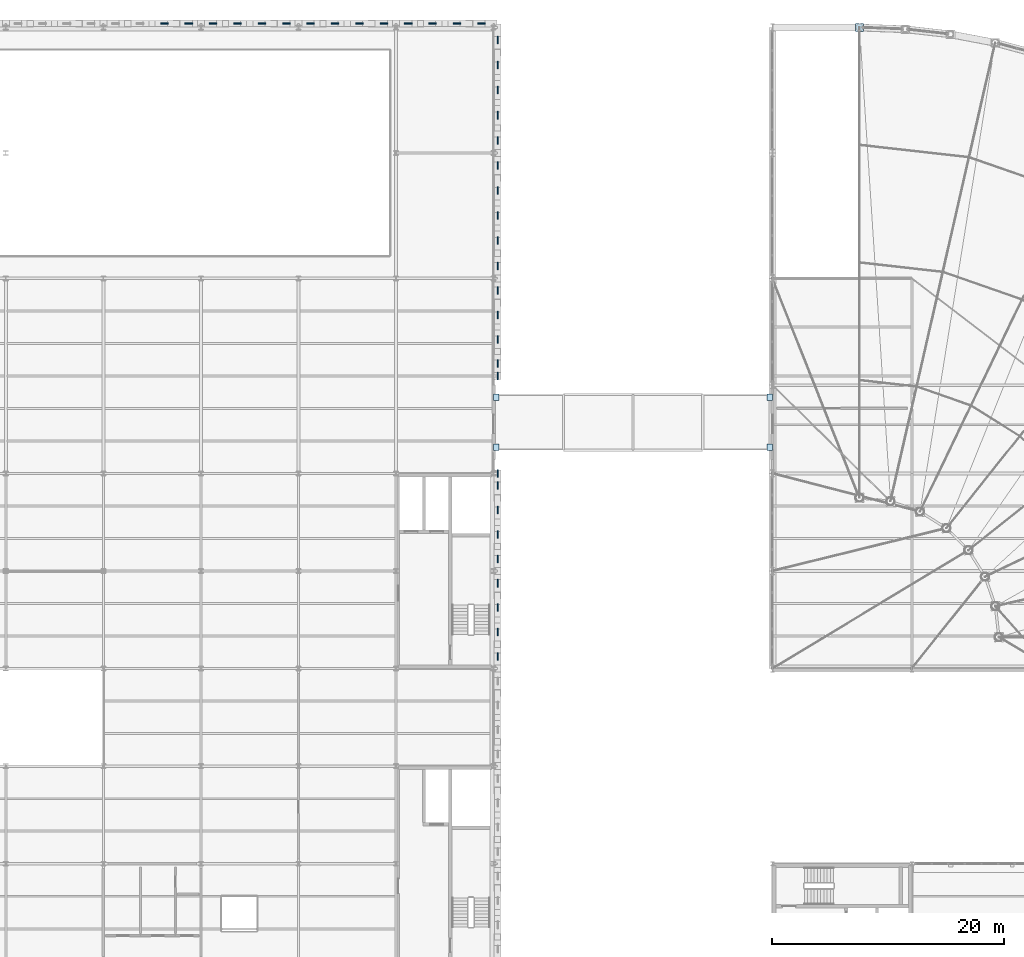
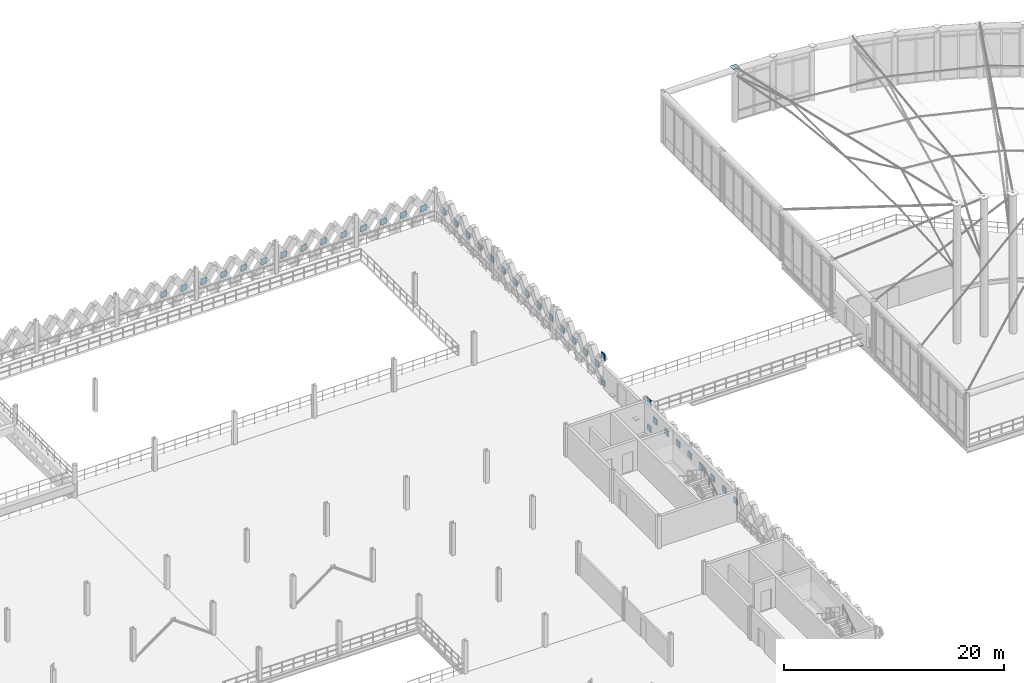
# One storey, part 81 of 101: 45 plates.
"""IFC4 building model written with IfcOpenShell, lengths in metres."""

import ifcopenshell
import ifcopenshell.guid

model = None  # the IFC model being written
_history = None  # IfcOwnerHistory: only IFC2X3 demands one
_inside = {}  # id of a spatial element -> (the spatial element, [elements in it])
_under = {}  # id of a project, library or spatial element -> (it, [spatial elements below it])
_declared = {}  # id of a project -> (the project, [libraries it declares])
_typed = {}  # id of a type object -> (the type object, [elements of that type])
_made_of = {}  # id of a material, layer set ... -> (it, [elements and type objects made of it])


def new_model(schema):
    """Start an empty IFC model of exactly this schema.

    Asked for "IFC4X3", IfcOpenShell would pick the latest addendum, in which some entities
    have other attributes; the version numbers below select the first issue.
    IFC2X3 requires an IfcOwnerHistory on every rooted entity: one is made here for all.
    """
    global model, _history
    if schema == "IFC4X3":
        model = ifcopenshell.file(schema_version=(4, 3, 0, 0))
    else:
        model = ifcopenshell.file(schema=schema)
    _inside.clear()
    _under.clear()
    _declared.clear()
    _typed.clear()
    _made_of.clear()
    _history = None
    if model.schema == "IFC2X3":
        org = make("IfcOrganization", Name="unknown")
        user = make(
            "IfcPersonAndOrganization",
            ThePerson=make("IfcPerson", FamilyName="unknown"),
            TheOrganization=org,
        )
        app = make(
            "IfcApplication",
            ApplicationDeveloper=org,
            Version="unknown",
            ApplicationFullName="unknown",
            ApplicationIdentifier="unknown",
        )
        _history = make(
            "IfcOwnerHistory",
            OwningUser=user,
            OwningApplication=app,
            ChangeAction="ADDED",
            CreationDate=0,
        )
    return model


def make(cls, **values):
    """One entity of the class cls with the attributes given. An attribute that is None is left unset."""
    return model.create_entity(
        cls, **{name: value for name, value in values.items() if value is not None}
    )


def rooted(cls, **values):
    """An entity with a GlobalId (a new one), such as an element, a storey or a relation."""
    return make(cls, GlobalId=ifcopenshell.guid.new(), OwnerHistory=_history, **values)


def si_unit(unit_type, name, prefix=None):
    """IfcSIUnit, for example si_unit("LENGTHUNIT", "METRE", prefix="MILLI")."""
    return make("IfcSIUnit", UnitType=unit_type, Prefix=prefix, Name=name)


def assignment(units):
    """IfcUnitAssignment: the units of a project."""
    return None if units is None else make("IfcUnitAssignment", Units=units)


def point(xyz):
    """IfcCartesianPoint."""
    return None if xyz is None else make("IfcCartesianPoint", Coordinates=xyz)


def direction(xyz):
    """IfcDirection."""
    return None if xyz is None else make("IfcDirection", DirectionRatios=xyz)


def frame(location, z_axis=None, x_axis=None):
    """IfcAxis2Placement3D, a coordinate frame: its origin and axes. An axis left out is left unset."""
    return make(
        "IfcAxis2Placement3D",
        Location=point(location),
        Axis=direction(z_axis),
        RefDirection=direction(x_axis),
    )


def frame_2d(location, x_axis=None):
    """IfcAxis2Placement2D, a coordinate frame in the plane: its origin and x axis."""
    return make(
        "IfcAxis2Placement2D", Location=point(location), RefDirection=direction(x_axis)
    )


def origin():
    """The frame at (0, 0, 0) with its axes left unset."""
    return frame((0.0, 0.0, 0.0))


def origin_2d():
    """The frame at (0, 0) in the plane with its x axis left unset."""
    return frame_2d((0.0, 0.0))


def place(relative_to, where):
    """IfcLocalPlacement: puts the frame where relative to a parent placement (None: the world)."""
    return make(
        "IfcLocalPlacement", PlacementRelTo=relative_to, RelativePlacement=where
    )


def context(
    kind, dimensions, precision=None, world=None, true_north=None, identifier=None
):
    """IfcGeometricRepresentationContext, for example the 3D "Model" context."""
    return make(
        "IfcGeometricRepresentationContext",
        ContextIdentifier=identifier,
        ContextType=kind,
        CoordinateSpaceDimension=dimensions,
        Precision=precision,
        WorldCoordinateSystem=world,
        TrueNorth=true_north,
    )


def subcontext(parent, identifier, kind, view, scale=None):
    """IfcGeometricRepresentationSubContext, for example "Body" below "Model"."""
    return make(
        "IfcGeometricRepresentationSubContext",
        ContextIdentifier=identifier,
        ContextType=kind,
        ParentContext=parent,
        TargetScale=scale,
        TargetView=view,
    )


def project(units=None, contexts=None):
    """IfcProject with its units and contexts."""
    return rooted(
        "IfcProject",
        Name="project",
        RepresentationContexts=contexts,
        UnitsInContext=assignment(units),
    )


def spatial(cls, under=None, at=None, **own):
    """A site, building, storey or space (cls), placed at a placement, below another one or the project."""
    s = rooted(cls, ObjectPlacement=at, **own)
    if under is not None:
        _under.setdefault(under.id(), (under, []))[1].append(s)
    return s


def profile(cls, at=None, kind="AREA", **sizes):
    """A parametric profile (cls). Its sizes go by their IFC names, for example OverallWidth=200.0."""
    return make(cls, ProfileType=kind, Position=at, **sizes)


def rectangle(**sizes):
    """IfcRectangleProfileDef."""
    return profile("IfcRectangleProfileDef", **sizes)


def extrude(swept, where, along, depth):
    """IfcExtrudedAreaSolid: the profile swept, set in the frame where, extruded along a direction by depth."""
    return make(
        "IfcExtrudedAreaSolid",
        SweptArea=swept,
        Position=where,
        ExtrudedDirection=direction(along),
        Depth=depth,
    )


def shape(context_of_items, identifier, shape_type, items):
    """IfcShapeRepresentation: the items that make up one representation, for example the "Body"."""
    return make(
        "IfcShapeRepresentation",
        ContextOfItems=context_of_items,
        RepresentationIdentifier=identifier,
        RepresentationType=shape_type,
        Items=items,
    )


def material(Name=None, Category=None):
    """IfcMaterial."""
    return make("IfcMaterial", Name=Name, Category=Category)


def layer(
    of_material, thickness, ventilated=None, Name=None, Category=None, Priority=None
):
    """IfcMaterialLayer: one layer of a wall or slab, of a material (None: an air gap)."""
    return make(
        "IfcMaterialLayer",
        Material=of_material,
        LayerThickness=thickness,
        IsVentilated=ventilated,
        Name=Name,
        Category=Category,
        Priority=Priority,
    )


def layer_set(layers, Name=None):
    """IfcMaterialLayerSet."""
    return make("IfcMaterialLayerSet", MaterialLayers=layers, LayerSetName=Name)


def made_of(thing, what):
    """Note that an element or type object is made of a material, layer set ...; save() writes the relation."""
    if what is not None:
        _made_of.setdefault(what.id(), (what, []))[1].append(thing)
    return thing


def type_object(cls, material=None, **own):
    """A type object (cls), such as IfcWallType, which elements share."""
    return made_of(rooted(cls, **own), material)


def element(
    cls,
    number,
    at=None,
    inside=None,
    cuts=None,
    type_object=None,
    material=None,
    context=None,
    identifier="Body",
    shape_type=None,
    held_by="IfcProductDefinitionShape",
    body=None,
    shapes=None,
    **own,
):
    """One element of the class cls, such as IfcWall. Its Tag is "e" and its number.

    at: its placement. inside: the storey or other place that contains it. cuts: it is an
    opening in that element (IfcRelVoidsElement). A single representation is given by context,
    identifier, shape_type and body (its items); several are given by shapes. held_by: the class
    of the entity that holds the representations. save() writes the other relations.
    """
    e = rooted(cls, Tag="e%d" % number, ObjectPlacement=at, **own)
    if body is not None:
        shapes = [shape(context, identifier, shape_type, body)]
    if shapes is not None:
        e.Representation = make(held_by, Representations=shapes)
    if inside is not None:
        _inside.setdefault(inside.id(), (inside, []))[1].append(e)
    if cuts is not None:
        rooted(
            "IfcRelVoidsElement", RelatingBuildingElement=cuts, RelatedOpeningElement=e
        )
    if type_object is not None:
        _typed.setdefault(type_object.id(), (type_object, []))[1].append(e)
    return made_of(e, material)


def aggregate(whole, parts):
    """IfcRelAggregates: a whole, such as a stair, and the parts it consists of."""
    return rooted("IfcRelAggregates", RelatingObject=whole, RelatedObjects=parts)


def save(model, path):
    """Write the relations noted so far, then the file.

    IfcRelAggregates (storeys below a building ...), IfcRelContainedInSpatialStructure (elements
    in a storey), IfcRelDefinesByType, IfcRelAssociatesMaterial and IfcRelDeclares: one each for
    every whole, place, type object, material and project.
    """
    for whole, parts in _under.values():
        aggregate(whole, parts)
    for where, things in _inside.values():
        rooted(
            "IfcRelContainedInSpatialStructure",
            RelatedElements=things,
            RelatingStructure=where,
        )
    for kind, things in _typed.values():
        rooted("IfcRelDefinesByType", RelatedObjects=things, RelatingType=kind)
    for what, things in _made_of.values():
        rooted("IfcRelAssociatesMaterial", RelatedObjects=things, RelatingMaterial=what)
    for by, libraries in _declared.values():
        rooted("IfcRelDeclares", RelatingContext=by, RelatedDefinitions=libraries)
    model.write(path)


model = new_model("IFC4")

# Units and contexts
model_context = context("Model", 3, precision=1e-05, world=origin(), true_north=direction((0.0, 1.0)))
body_context = subcontext(model_context, "Body", "Model", "MODEL_VIEW")
ifc_project = project(units=[si_unit("LENGTHUNIT", "METRE"), si_unit("AREAUNIT", "SQUARE_METRE"), si_unit("VOLUMEUNIT", "CUBIC_METRE"), si_unit("PLANEANGLEUNIT", "RADIAN"), si_unit("MASSUNIT", "GRAM", prefix="KILO"), si_unit("THERMODYNAMICTEMPERATUREUNIT", "KELVIN"), si_unit("POWERUNIT", "WATT")], contexts=[model_context])

# Site, building, storey
site_placement = place(None, origin())
site = spatial("IfcSite", under=ifc_project, at=site_placement, CompositionType="ELEMENT")
building_placement = place(site_placement, origin())
building = spatial("IfcBuilding", under=site, at=building_placement, Name="Tembeka Court Mobility Hub", CompositionType="ELEMENT")
storey_placement = place(building_placement, frame((0.0, 0.0, 5.39990234375)))
storey = spatial("IfcBuildingStorey", under=building, at=storey_placement, Name="L01", CompositionType="ELEMENT", Elevation=5.39990234375)

# Plates
ifc_material_1 = material(Name="Steel S355", Category="steel")
ifc_layer_1 = layer(ifc_material_1, 0.0400390625)
ifc_layer_set_1 = layer_set([ifc_layer_1], Name="Steel S355")
plate_type_1 = type_object("IfcPlateType", Name="PL-MBP01", PredefinedType="USERDEFINED", material=ifc_layer_set_1)
for number, where, z_axis, x_axis, name in (
    (1, (92.625, 82.64990234375, -0.27001953125), (0.0, 0.0, 1.0), (1.0, 0.0, 0.0), "Bridge 450mm seated elastomeric bearing plate MBP01-05"),
    (2, (116.175048828125, 82.64990234375, -0.27001953125), (0.0, 0.0, 1.0), (1.0, 0.0, 0.0), "Bridge 450mm seated elastomeric bearing plate MBP01-06"),
    (3, (92.625, 86.949951171875, -0.27001953125), (0.0, 0.0, 1.0), (1.0, 0.0, 0.0), "Bridge 450mm seated elastomeric bearing plate MBP01-07"),
    (4, (116.175048828125, 86.949951171875, -0.27001953125), (0.0, 0.0, 1.0), (1.0, 0.0, 0.0), "Bridge 450mm seated elastomeric bearing plate MBP01-08"),
):
    element("IfcPlate", number, at=place(storey_placement, frame(where, z_axis=z_axis, x_axis=x_axis)), inside=storey, type_object=plate_type_1, Name=name, ObjectType="BASE PLATE", PredefinedType="USERDEFINED", context=body_context, shape_type="SweptSolid", body=[
        extrude(rectangle(XDim=0.449951171875, YDim=0.550048828125, at=origin_2d()), origin(), (0.0, 0.0, 1.0), 0.0400390625),
    ])
ifc_layer_2 = layer(ifc_material_1, 0.01806640625)
ifc_layer_set_2 = layer_set([ifc_layer_2], Name="Steel S355")
plate_type_2 = type_object("IfcPlateType", Name="PL-MCP01", PredefinedType="USERDEFINED", material=ifc_layer_set_2)
plate_placement = place(storey_placement, frame((123.89990234375, 118.800048828125, 5.9990234375), z_axis=(0.0, 0.0, 1.0), x_axis=(1.0, 0.0, 0.0)))
element("IfcPlate", 5, at=plate_placement, inside=storey, type_object=plate_type_2, Name="Hollow column C07 top cap plate MCP01-170", ObjectType="BASE PLATE", PredefinedType="USERDEFINED", context=body_context, shape_type="SweptSolid", body=[
    extrude(rectangle(XDim=0.669921875, YDim=0.669921875, at=origin_2d()), origin(), (0.0, 0.0, 1.0), 0.01806640625),
])
ifc_material_2 = material(Name="Precast concrete C45/55", Category="concrete")
ifc_layer_3 = layer(ifc_material_2, 0.090087890625)
ifc_layer_set_3 = layer_set([ifc_layer_3], Name="Precast concrete C45/55")
plate_type_3 = type_object("IfcPlateType", Name="PL-PC01", PredefinedType="SHEET", material=ifc_layer_set_3)
for number, where, z_axis, x_axis, name in (
    (6, (92.739990234375, 80.39990234375, -0.304931640625), (0.0, 0.0, 1.0), (1.0, 0.0, 0.0), "Lattice portal boundary node plate PCN01 (L01-80-B)"),
    (7, (92.739990234375, 80.39990234375, 2.625244140625), (0.0, 0.0, 1.0), (1.0, 0.0, 0.0), "Lattice portal boundary node plate PCN01 (L01-80-T)"),
    (8, (92.739990234375, 88.800048828125, -0.304931640625), (0.0, 0.0, 1.0), (1.0, 0.0, 0.0), "Lattice portal boundary node plate PCN01 (L01-88-B)"),
    (9, (92.739990234375, 88.800048828125, 2.625244140625), (0.0, 0.0, 1.0), (1.0, 0.0, 0.0), "Lattice portal boundary node plate PCN01 (L01-88-T)"),
):
    element("IfcPlate", number, at=place(storey_placement, frame(where, z_axis=z_axis, x_axis=x_axis)), inside=storey, type_object=plate_type_3, Name=name, PredefinedType="SHEET", context=body_context, shape_type="SweptSolid", body=[
        extrude(rectangle(XDim=0.090087890625, YDim=0.64990234375, at=origin_2d()), origin(), (0.0, 0.0, 1.0), 0.64990234375),
    ])
for number, where, z_axis, x_axis, name in (
    (10, (64.050048828125, 119.139892578125, 1.16015625), (0.0, 0.0, 1.0), (1.0, 0.0, 0.0), "Precast diamond lattice node plate PCN01 (L01-75)"),
    (11, (66.14990234375, 119.139892578125, 1.16015625), (0.0, 0.0, 1.0), (1.0, 0.0, 0.0), "Precast diamond lattice node plate PCN01 (L01-76)"),
    (12, (68.25, 119.139892578125, 1.16015625), (0.0, 0.0, 1.0), (1.0, 0.0, 0.0), "Precast diamond lattice node plate PCN01 (L01-77)"),
    (13, (70.35009765625, 119.139892578125, 1.16015625), (0.0, 0.0, 1.0), (1.0, 0.0, 0.0), "Precast diamond lattice node plate PCN01 (L01-78)"),
    (14, (72.449951171875, 119.139892578125, 1.16015625), (0.0, 0.0, 1.0), (1.0, 0.0, 0.0), "Precast diamond lattice node plate PCN01 (L01-79)"),
    (15, (74.550048828125, 119.139892578125, 1.16015625), (0.0, 0.0, 1.0), (1.0, 0.0, 0.0), "Precast diamond lattice node plate PCN01 (L01-80)"),
    (16, (76.64990234375, 119.139892578125, 1.16015625), (0.0, 0.0, 1.0), (1.0, 0.0, 0.0), "Precast diamond lattice node plate PCN01 (L01-81)"),
    (17, (78.75, 119.139892578125, 1.16015625), (0.0, 0.0, 1.0), (1.0, 0.0, 0.0), "Precast diamond lattice node plate PCN01 (L01-82)"),
    (18, (80.85009765625, 119.139892578125, 1.16015625), (0.0, 0.0, 1.0), (1.0, 0.0, 0.0), "Precast diamond lattice node plate PCN01 (L01-83)"),
    (19, (82.949951171875, 119.139892578125, 1.16015625), (0.0, 0.0, 1.0), (1.0, 0.0, 0.0), "Precast diamond lattice node plate PCN01 (L01-84)"),
    (20, (85.050048828125, 119.139892578125, 1.16015625), (0.0, 0.0, 1.0), (1.0, 0.0, 0.0), "Precast diamond lattice node plate PCN01 (L01-85)"),
    (21, (87.14990234375, 119.139892578125, 1.16015625), (0.0, 0.0, 1.0), (1.0, 0.0, 0.0), "Precast diamond lattice node plate PCN01 (L01-86)"),
    (22, (89.25, 119.139892578125, 1.16015625), (0.0, 0.0, 1.0), (1.0, 0.0, 0.0), "Precast diamond lattice node plate PCN01 (L01-87)"),
    (23, (91.35009765625, 119.139892578125, 1.16015625), (0.0, 0.0, 1.0), (1.0, 0.0, 0.0), "Precast diamond lattice node plate PCN01 (L01-88)"),
):
    element("IfcPlate", number, at=place(storey_placement, frame(where, z_axis=z_axis, x_axis=x_axis)), inside=storey, type_object=plate_type_3, Name=name, PredefinedType="SHEET", context=body_context, shape_type="SweptSolid", body=[
        extrude(rectangle(XDim=0.64990234375, YDim=0.090087890625, at=origin_2d()), origin(), (0.0, 0.0, 1.0), 0.64990234375),
    ])
for number, where, z_axis, x_axis, name in (
    (24, (92.739990234375, 64.64990234375, 1.16015625), (0.0, 0.0, 1.0), (1.0, 0.0, 0.0), "Precast diamond lattice node plate PCN01 (L01-167)"),
    (25, (92.739990234375, 66.75, 1.16015625), (0.0, 0.0, 1.0), (1.0, 0.0, 0.0), "Precast diamond lattice node plate PCN01 (L01-168)"),
    (26, (92.739990234375, 68.85009765625, 1.16015625), (0.0, 0.0, 1.0), (1.0, 0.0, 0.0), "Precast diamond lattice node plate PCN01 (L01-169)"),
    (27, (92.739990234375, 70.949951171875, 1.16015625), (0.0, 0.0, 1.0), (1.0, 0.0, 0.0), "Precast diamond lattice node plate PCN01 (L01-170)"),
    (28, (92.739990234375, 73.050048828125, 1.16015625), (0.0, 0.0, 1.0), (1.0, 0.0, 0.0), "Precast diamond lattice node plate PCN01 (L01-171)"),
    (29, (92.739990234375, 75.14990234375, 1.16015625), (0.0, 0.0, 1.0), (1.0, 0.0, 0.0), "Precast diamond lattice node plate PCN01 (L01-172)"),
    (30, (92.739990234375, 77.25, 1.16015625), (0.0, 0.0, 1.0), (1.0, 0.0, 0.0), "Precast diamond lattice node plate PCN01 (L01-173)"),
    (31, (92.739990234375, 79.35009765625, 1.16015625), (0.0, 0.0, 1.0), (1.0, 0.0, 0.0), "Precast diamond lattice node plate PCN01 (L01-174)"),
    (32, (92.739990234375, 89.85009765625, 1.16015625), (0.0, 0.0, 1.0), (1.0, 0.0, 0.0), "Precast diamond lattice node plate PCN01 (L01-175)"),
    (33, (92.739990234375, 91.949951171875, 1.16015625), (0.0, 0.0, 1.0), (1.0, 0.0, 0.0), "Precast diamond lattice node plate PCN01 (L01-176)"),
    (34, (92.739990234375, 94.050048828125, 1.16015625), (0.0, 0.0, 1.0), (1.0, 0.0, 0.0), "Precast diamond lattice node plate PCN01 (L01-177)"),
    (35, (92.739990234375, 96.14990234375, 1.16015625), (0.0, 0.0, 1.0), (1.0, 0.0, 0.0), "Precast diamond lattice node plate PCN01 (L01-178)"),
    (36, (92.739990234375, 98.280029296875, 1.16015625), (0.0, 0.0, 1.0), (1.0, 0.0, 0.0), "Precast diamond lattice node plate PCN01 (L01-179)"),
    (37, (92.739990234375, 100.43994140625, 1.16015625), (0.0, 0.0, 1.0), (1.0, 0.0, 0.0), "Precast diamond lattice node plate PCN01 (L01-180)"),
    (38, (92.739990234375, 102.60009765625, 1.16015625), (0.0, 0.0, 1.0), (1.0, 0.0, 0.0), "Precast diamond lattice node plate PCN01 (L01-181)"),
    (39, (92.739990234375, 104.760009765625, 1.16015625), (0.0, 0.0, 1.0), (1.0, 0.0, 0.0), "Precast diamond lattice node plate PCN01 (L01-182)"),
    (40, (92.739990234375, 106.919921875, 1.16015625), (0.0, 0.0, 1.0), (1.0, 0.0, 0.0), "Precast diamond lattice node plate PCN01 (L01-183)"),
    (41, (92.739990234375, 109.080078125, 1.16015625), (0.0, 0.0, 1.0), (1.0, 0.0, 0.0), "Precast diamond lattice node plate PCN01 (L01-184)"),
    (42, (92.739990234375, 111.239990234375, 1.16015625), (0.0, 0.0, 1.0), (1.0, 0.0, 0.0), "Precast diamond lattice node plate PCN01 (L01-185)"),
    (43, (92.739990234375, 113.39990234375, 1.16015625), (0.0, 0.0, 1.0), (1.0, 0.0, 0.0), "Precast diamond lattice node plate PCN01 (L01-186)"),
    (44, (92.739990234375, 115.56005859375, 1.16015625), (0.0, 0.0, 1.0), (1.0, 0.0, 0.0), "Precast diamond lattice node plate PCN01 (L01-187)"),
    (45, (92.739990234375, 117.719970703125, 1.16015625), (0.0, 0.0, 1.0), (1.0, 0.0, 0.0), "Precast diamond lattice node plate PCN01 (L01-188)"),
):
    element("IfcPlate", number, at=place(storey_placement, frame(where, z_axis=z_axis, x_axis=x_axis)), inside=storey, type_object=plate_type_3, Name=name, PredefinedType="SHEET", context=body_context, shape_type="SweptSolid", body=[
        extrude(rectangle(XDim=0.090087890625, YDim=0.64990234375, at=origin_2d()), origin(), (0.0, 0.0, 1.0), 0.64990234375),
    ])

save(model, "model.ifc")
